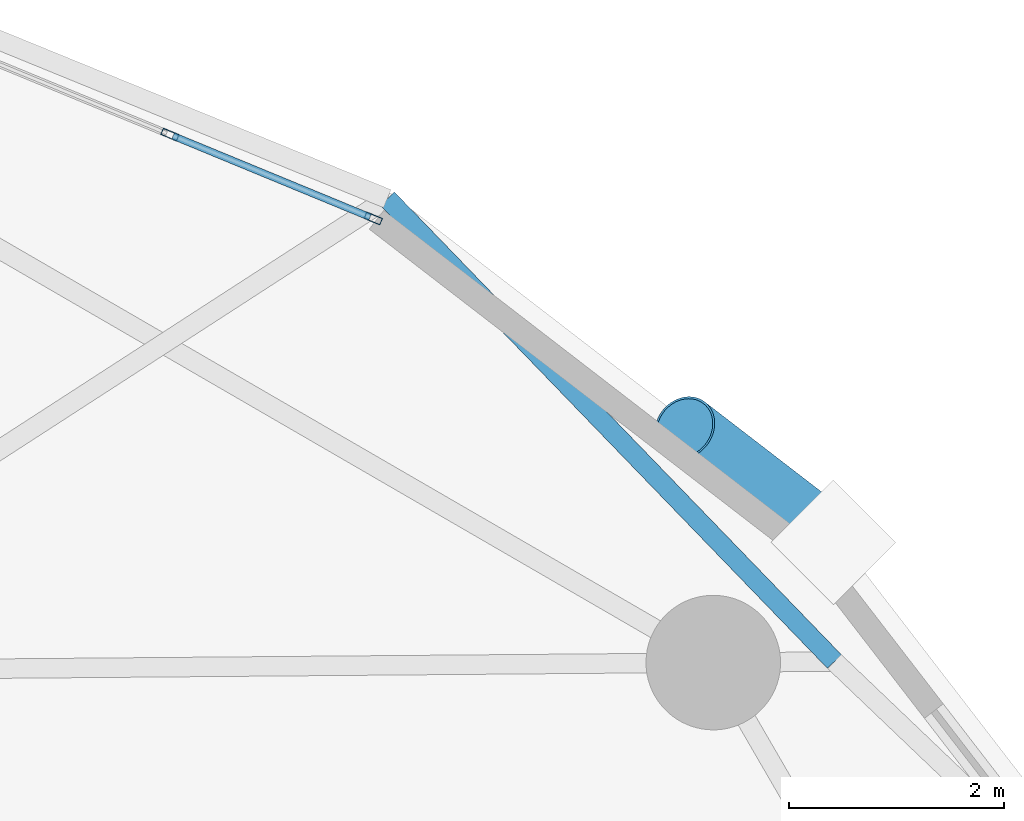
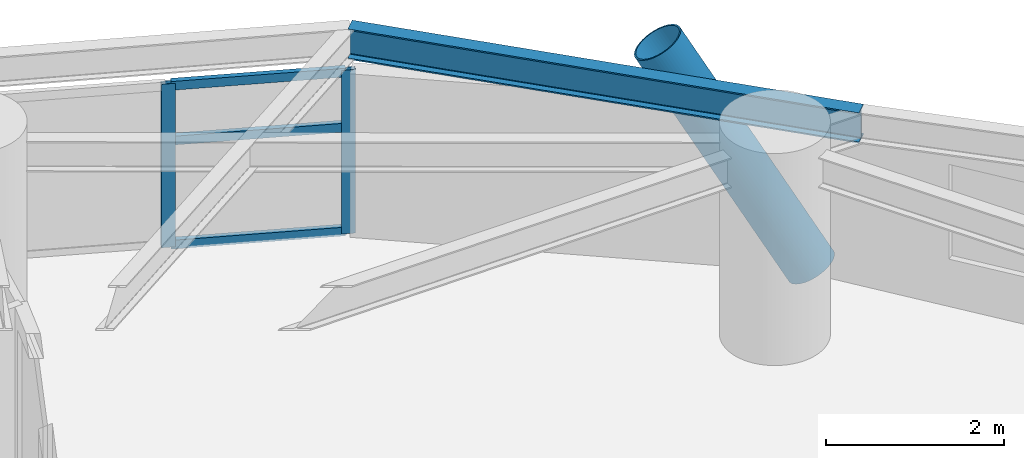
# One storey, part 5 of 17: 6 members, 1 beam, 1 element without a shape of its own.
"""IFC4 building model written with IfcOpenShell, lengths in metres."""

import ifcopenshell
import ifcopenshell.guid

model = None  # the IFC model being written
_history = None  # IfcOwnerHistory: only IFC2X3 demands one
_inside = {}  # id of a spatial element -> (the spatial element, [elements in it])
_under = {}  # id of a project, library or spatial element -> (it, [spatial elements below it])
_declared = {}  # id of a project -> (the project, [libraries it declares])
_typed = {}  # id of a type object -> (the type object, [elements of that type])
_made_of = {}  # id of a material, layer set ... -> (it, [elements and type objects made of it])


def new_model(schema):
    """Start an empty IFC model of exactly this schema.

    Asked for "IFC4X3", IfcOpenShell would pick the latest addendum, in which some entities
    have other attributes; the version numbers below select the first issue.
    IFC2X3 requires an IfcOwnerHistory on every rooted entity: one is made here for all.
    """
    global model, _history
    if schema == "IFC4X3":
        model = ifcopenshell.file(schema_version=(4, 3, 0, 0))
    else:
        model = ifcopenshell.file(schema=schema)
    _inside.clear()
    _under.clear()
    _declared.clear()
    _typed.clear()
    _made_of.clear()
    _history = None
    if model.schema == "IFC2X3":
        org = make("IfcOrganization", Name="unknown")
        user = make(
            "IfcPersonAndOrganization",
            ThePerson=make("IfcPerson", FamilyName="unknown"),
            TheOrganization=org,
        )
        app = make(
            "IfcApplication",
            ApplicationDeveloper=org,
            Version="unknown",
            ApplicationFullName="unknown",
            ApplicationIdentifier="unknown",
        )
        _history = make(
            "IfcOwnerHistory",
            OwningUser=user,
            OwningApplication=app,
            ChangeAction="ADDED",
            CreationDate=0,
        )
    return model


def make(cls, **values):
    """One entity of the class cls with the attributes given. An attribute that is None is left unset."""
    return model.create_entity(
        cls, **{name: value for name, value in values.items() if value is not None}
    )


def rooted(cls, **values):
    """An entity with a GlobalId (a new one), such as an element, a storey or a relation."""
    return make(cls, GlobalId=ifcopenshell.guid.new(), OwnerHistory=_history, **values)


def si_unit(unit_type, name, prefix=None):
    """IfcSIUnit, for example si_unit("LENGTHUNIT", "METRE", prefix="MILLI")."""
    return make("IfcSIUnit", UnitType=unit_type, Prefix=prefix, Name=name)


def assignment(units):
    """IfcUnitAssignment: the units of a project."""
    return None if units is None else make("IfcUnitAssignment", Units=units)


def point(xyz):
    """IfcCartesianPoint."""
    return None if xyz is None else make("IfcCartesianPoint", Coordinates=xyz)


def direction(xyz):
    """IfcDirection."""
    return None if xyz is None else make("IfcDirection", DirectionRatios=xyz)


def frame(location, z_axis=None, x_axis=None):
    """IfcAxis2Placement3D, a coordinate frame: its origin and axes. An axis left out is left unset."""
    return make(
        "IfcAxis2Placement3D",
        Location=point(location),
        Axis=direction(z_axis),
        RefDirection=direction(x_axis),
    )


def frame_2d(location, x_axis=None):
    """IfcAxis2Placement2D, a coordinate frame in the plane: its origin and x axis."""
    return make(
        "IfcAxis2Placement2D", Location=point(location), RefDirection=direction(x_axis)
    )


def origin():
    """The frame at (0, 0, 0) with its axes left unset."""
    return frame((0.0, 0.0, 0.0))


def origin_2d():
    """The frame at (0, 0) in the plane with its x axis left unset."""
    return frame_2d((0.0, 0.0))


def place(relative_to, where):
    """IfcLocalPlacement: puts the frame where relative to a parent placement (None: the world)."""
    return make(
        "IfcLocalPlacement", PlacementRelTo=relative_to, RelativePlacement=where
    )


def context(
    kind, dimensions, precision=None, world=None, true_north=None, identifier=None
):
    """IfcGeometricRepresentationContext, for example the 3D "Model" context."""
    return make(
        "IfcGeometricRepresentationContext",
        ContextIdentifier=identifier,
        ContextType=kind,
        CoordinateSpaceDimension=dimensions,
        Precision=precision,
        WorldCoordinateSystem=world,
        TrueNorth=true_north,
    )


def subcontext(parent, identifier, kind, view, scale=None):
    """IfcGeometricRepresentationSubContext, for example "Body" below "Model"."""
    return make(
        "IfcGeometricRepresentationSubContext",
        ContextIdentifier=identifier,
        ContextType=kind,
        ParentContext=parent,
        TargetScale=scale,
        TargetView=view,
    )


def project(units=None, contexts=None):
    """IfcProject with its units and contexts."""
    return rooted(
        "IfcProject",
        Name="project",
        RepresentationContexts=contexts,
        UnitsInContext=assignment(units),
    )


def spatial(cls, under=None, at=None, **own):
    """A site, building, storey or space (cls), placed at a placement, below another one or the project."""
    s = rooted(cls, ObjectPlacement=at, **own)
    if under is not None:
        _under.setdefault(under.id(), (under, []))[1].append(s)
    return s


def profile(cls, at=None, kind="AREA", **sizes):
    """A parametric profile (cls). Its sizes go by their IFC names, for example OverallWidth=200.0."""
    return make(cls, ProfileType=kind, Position=at, **sizes)


def hollow_rectangle(**sizes):
    """IfcRectangleHollowProfileDef."""
    return profile("IfcRectangleHollowProfileDef", **sizes)


def hollow_circle(**sizes):
    """IfcCircleHollowProfileDef."""
    return profile("IfcCircleHollowProfileDef", **sizes)


def i_section(**sizes):
    """IfcIShapeProfileDef."""
    return profile("IfcIShapeProfileDef", **sizes)


def extrude(swept, where, along, depth):
    """IfcExtrudedAreaSolid: the profile swept, set in the frame where, extruded along a direction by depth."""
    return make(
        "IfcExtrudedAreaSolid",
        SweptArea=swept,
        Position=where,
        ExtrudedDirection=direction(along),
        Depth=depth,
    )


def shape(context_of_items, identifier, shape_type, items):
    """IfcShapeRepresentation: the items that make up one representation, for example the "Body"."""
    return make(
        "IfcShapeRepresentation",
        ContextOfItems=context_of_items,
        RepresentationIdentifier=identifier,
        RepresentationType=shape_type,
        Items=items,
    )


def material(Name=None, Category=None):
    """IfcMaterial."""
    return make("IfcMaterial", Name=Name, Category=Category)


def layer(
    of_material, thickness, ventilated=None, Name=None, Category=None, Priority=None
):
    """IfcMaterialLayer: one layer of a wall or slab, of a material (None: an air gap)."""
    return make(
        "IfcMaterialLayer",
        Material=of_material,
        LayerThickness=thickness,
        IsVentilated=ventilated,
        Name=Name,
        Category=Category,
        Priority=Priority,
    )


def layer_set(layers, Name=None):
    """IfcMaterialLayerSet."""
    return make("IfcMaterialLayerSet", MaterialLayers=layers, LayerSetName=Name)


def material_profile(
    of_material, cross_section, Name=None, Category=None, Priority=None
):
    """IfcMaterialProfile: a cross section and its material."""
    return make(
        "IfcMaterialProfile",
        Name=Name,
        Material=of_material,
        Profile=cross_section,
        Priority=Priority,
        Category=Category,
    )


def profile_set(profiles, Name=None, composite=None):
    """IfcMaterialProfileSet."""
    return make(
        "IfcMaterialProfileSet",
        Name=Name,
        MaterialProfiles=profiles,
        CompositeProfile=composite,
    )


def made_of(thing, what):
    """Note that an element or type object is made of a material, layer set ...; save() writes the relation."""
    if what is not None:
        _made_of.setdefault(what.id(), (what, []))[1].append(thing)
    return thing


def type_object(cls, material=None, **own):
    """A type object (cls), such as IfcWallType, which elements share."""
    return made_of(rooted(cls, **own), material)


def element(
    cls,
    number,
    at=None,
    inside=None,
    cuts=None,
    type_object=None,
    material=None,
    context=None,
    identifier="Body",
    shape_type=None,
    held_by="IfcProductDefinitionShape",
    body=None,
    shapes=None,
    **own,
):
    """One element of the class cls, such as IfcWall. Its Tag is "e" and its number.

    at: its placement. inside: the storey or other place that contains it. cuts: it is an
    opening in that element (IfcRelVoidsElement). A single representation is given by context,
    identifier, shape_type and body (its items); several are given by shapes. held_by: the class
    of the entity that holds the representations. save() writes the other relations.
    """
    e = rooted(cls, Tag="e%d" % number, ObjectPlacement=at, **own)
    if body is not None:
        shapes = [shape(context, identifier, shape_type, body)]
    if shapes is not None:
        e.Representation = make(held_by, Representations=shapes)
    if inside is not None:
        _inside.setdefault(inside.id(), (inside, []))[1].append(e)
    if cuts is not None:
        rooted(
            "IfcRelVoidsElement", RelatingBuildingElement=cuts, RelatedOpeningElement=e
        )
    if type_object is not None:
        _typed.setdefault(type_object.id(), (type_object, []))[1].append(e)
    return made_of(e, material)


def aggregate(whole, parts):
    """IfcRelAggregates: a whole, such as a stair, and the parts it consists of."""
    return rooted("IfcRelAggregates", RelatingObject=whole, RelatedObjects=parts)


def save(model, path):
    """Write the relations noted so far, then the file.

    IfcRelAggregates (storeys below a building ...), IfcRelContainedInSpatialStructure (elements
    in a storey), IfcRelDefinesByType, IfcRelAssociatesMaterial and IfcRelDeclares: one each for
    every whole, place, type object, material and project.
    """
    for whole, parts in _under.values():
        aggregate(whole, parts)
    for where, things in _inside.values():
        rooted(
            "IfcRelContainedInSpatialStructure",
            RelatedElements=things,
            RelatingStructure=where,
        )
    for kind, things in _typed.values():
        rooted("IfcRelDefinesByType", RelatedObjects=things, RelatingType=kind)
    for what, things in _made_of.values():
        rooted("IfcRelAssociatesMaterial", RelatedObjects=things, RelatingMaterial=what)
    for by, libraries in _declared.values():
        rooted("IfcRelDeclares", RelatingContext=by, RelatedDefinitions=libraries)
    model.write(path)


model = new_model("IFC4")

# Units and contexts
model_context = context("Model", 3, precision=1e-05, world=origin(), true_north=direction((0.0, 1.0)))
body_context = subcontext(model_context, "Body", "Model", "MODEL_VIEW")
ifc_project = project(units=[si_unit("LENGTHUNIT", "METRE"), si_unit("AREAUNIT", "SQUARE_METRE"), si_unit("VOLUMEUNIT", "CUBIC_METRE"), si_unit("PLANEANGLEUNIT", "RADIAN"), si_unit("MASSUNIT", "GRAM", prefix="KILO")], contexts=[model_context])

# Site, building, storey
site_placement = place(None, origin())
site = spatial("IfcSite", under=ifc_project, at=site_placement, CompositionType="ELEMENT")
building_placement = place(site_placement, origin())
building = spatial("IfcBuilding", under=site, at=building_placement, Name="Cununo Teusaquillo Station Towers", CompositionType="ELEMENT")
storey_placement = place(building_placement, frame((0.0, 0.0, 186.52001953125)))
storey = spatial("IfcBuildingStorey", under=building, at=storey_placement, Name="L59", CompositionType="ELEMENT", Elevation=186.52001953125)

# Beam
ifc_material_1 = material(Name="Steel ASTM A572 Grade 50", Category="steel")
ifc_material_profile_1 = material_profile(ifc_material_1, i_section(OverallWidth=0.180908203125, OverallDepth=0.4169921875, WebThickness=0.010986328125, FlangeThickness=0.018310546875, FilletRadius=0.012939453125, at=origin_2d()), Name="W16X57")
ifc_profile_set_1 = profile_set([ifc_material_profile_1], Name="Steel ASTM A572 Grade 50")
beam_type = type_object("IfcBeamType", Name="BM-RING-Z3", PredefinedType="SPANDREL", material=ifc_profile_set_1)
beam_placement = place(storey_placement, frame((67.232666015625, 33.116455078125, 2.4814453125), z_axis=(-0.694791256552, 0.719211450005, 0.0), x_axis=(-0.719211450005, -0.694791256552, 0.0)))
element("IfcBeam", 1, at=beam_placement, inside=storey, type_object=beam_type, Name="L59 Tower B Spandrel Ring Beam 01", PredefinedType="SPANDREL", context=body_context, shape_type="SweptSolid", body=[
    extrude(i_section(OverallWidth=0.180908203125, OverallDepth=0.4169921875, WebThickness=0.010986328125, FlangeThickness=0.018310546875, FilletRadius=0.012939453125, at=origin_2d()), origin(), (0.0, 0.0, 1.0), 5.978515625),
])

# Curtain wall, members
ifc_material_2 = material(Name="Operable acoustic tinted low-E double glazing", Category="glass")
ifc_layer = layer(ifc_material_2, 0.179931640625)
ifc_layer_set = layer_set([ifc_layer], Name="Operable acoustic tinted low-E double glazing")
curtain_wall_type = type_object("IfcCurtainWallType", Name="CW-SYS-06", PredefinedType="USERDEFINED", material=ifc_layer_set)
curtain_wall_placement = place(storey_placement, origin())
curtain_wall = element("IfcCurtainWall", 2, at=curtain_wall_placement, inside=storey, type_object=curtain_wall_type, Name="L59 Tower B Facade Curtain Wall C01", ObjectType="OPERABLE GLAZING", PredefinedType="USERDEFINED")
ifc_material_3 = material(Name="Anodised dark bronze aluminium EN AW-6063-T6", Category="aluminium")
ifc_material_profile_2 = material_profile(ifc_material_3, hollow_rectangle(XDim=0.06494140625, YDim=0.159912109375, WallThickness=0.00390625, at=origin_2d()), Name="CW-MULL-65x160")
ifc_profile_set_2 = profile_set([ifc_material_profile_2], Name="Anodised dark bronze aluminium EN AW-6063-T6")
member_type_1 = type_object("IfcMemberType", Name="CWM-160", PredefinedType="MULLION", material=ifc_profile_set_2)
member_1_placement = place(storey_placement, frame((61.05908203125, 38.011962890625, 0.0), z_axis=(0.0, 0.0, 1.0), x_axis=(0.381229322376, 0.924480504803, 0.0)))
member_1 = element("IfcMember", 3, at=member_1_placement, type_object=member_type_1, Name="CW-06 mullion 2", PredefinedType="MULLION", context=body_context, shape_type="SweptSolid", body=[
    extrude(hollow_rectangle(XDim=0.06494140625, YDim=0.159912109375, WallThickness=0.00390625, at=origin_2d()), origin(), (0.0, 0.0, 1.0), 2.244873046875),
])
member_2_placement = place(storey_placement, frame((62.948974609375, 37.232666015625, 0.0), z_axis=(0.0, 0.0, 1.0), x_axis=(0.381229322376, 0.924480504803, 0.0)))
member_2 = element("IfcMember", 4, at=member_2_placement, type_object=member_type_1, Name="CW-06 mullion 3", PredefinedType="MULLION", context=body_context, shape_type="SweptSolid", body=[
    extrude(hollow_rectangle(XDim=0.06494140625, YDim=0.159912109375, WallThickness=0.00390625, at=origin_2d()), origin(), (0.0, 0.0, 1.0), 2.244873046875),
])
ifc_material_4 = material(Name="Anodised dark bronze aluminium EN AW-6063-T6", Category="aluminium")
ifc_material_profile_3 = material_profile(ifc_material_4, hollow_rectangle(XDim=0.06494140625, YDim=0.1201171875, WallThickness=0.00390625, at=origin_2d()), Name="CW-TRAN-65x120")
ifc_profile_set_3 = profile_set([ifc_material_profile_3], Name="Anodised dark bronze aluminium EN AW-6063-T6")
member_type_2 = type_object("IfcMemberType", Name="CWT-120", PredefinedType="USERDEFINED", material=ifc_profile_set_3)
member_3_placement = place(storey_placement, frame((61.089111328125, 37.99951171875, 0.032470703125), z_axis=(0.924450559311, -0.381301932056, 0.0), x_axis=(0.381301932056, 0.924450559311, 0.0)))
member_3 = element("IfcMember", 5, at=member_3_placement, type_object=member_type_2, Name="CW-06 transom 2.1", ObjectType="TRANSOM", PredefinedType="USERDEFINED", context=body_context, shape_type="SweptSolid", body=[
    extrude(hollow_rectangle(XDim=0.06494140625, YDim=0.1201171875, WallThickness=0.00390625, at=origin_2d()), origin(), (0.0, 0.0, 1.0), 1.97900390625),
])
member_4_placement = place(storey_placement, frame((61.089111328125, 37.99951171875, 1.458984375), z_axis=(0.924450559311, -0.381301932056, 0.0), x_axis=(0.381301932056, 0.924450559311, 0.0)))
member_4 = element("IfcMember", 6, at=member_4_placement, type_object=member_type_2, Name="CW-06 transom 2.2", ObjectType="TRANSOM", PredefinedType="USERDEFINED", context=body_context, shape_type="SweptSolid", body=[
    extrude(hollow_rectangle(XDim=0.06494140625, YDim=0.1201171875, WallThickness=0.00390625, at=origin_2d()), origin(), (0.0, 0.0, 1.0), 1.97900390625),
])
member_5_placement = place(storey_placement, frame((61.089111328125, 37.99951171875, 2.21240234375), z_axis=(0.924450559311, -0.381301932056, 0.0), x_axis=(0.381301932056, 0.924450559311, 0.0)))
member_5 = element("IfcMember", 7, at=member_5_placement, type_object=member_type_2, Name="CW-06 transom 2.3", ObjectType="TRANSOM", PredefinedType="USERDEFINED", context=body_context, shape_type="SweptSolid", body=[
    extrude(hollow_rectangle(XDim=0.06494140625, YDim=0.1201171875, WallThickness=0.00390625, at=origin_2d()), origin(), (0.0, 0.0, 1.0), 1.97900390625),
])
aggregate(curtain_wall, [member_1, member_2, member_3, member_4, member_5])

# Member
ifc_material_5 = material(Name="Steel EN 10025-2 S355J2", Category="steel")
ifc_material_profile_4 = material_profile(ifc_material_5, hollow_circle(Radius=0.304931640625, WallThickness=0.02001953125, at=origin_2d()), Name="CHS 610x20")
ifc_profile_set_4 = profile_set([ifc_material_profile_4], Name="Steel EN 10025-2 S355J2")
member_type_3 = type_object("IfcMemberType", Name="MBR-DIAG-Z3", PredefinedType="BRACE", material=ifc_profile_set_4)
member_6_placement = place(storey_placement, frame((67.223388671875, 34.223388671875, -0.14013671875), z_axis=(-0.407226053583, 0.313677039683, 0.857772496679), x_axis=(-0.610231571438, -0.792223093087, 0.0)))
element("IfcMember", 8, at=member_6_placement, inside=storey, type_object=member_type_3, Name="L59 Tower B Folded-Zigzag Diagrid Tube C00", PredefinedType="BRACE", context=body_context, shape_type="SweptSolid", body=[
    extrude(hollow_circle(Radius=0.304931640625, WallThickness=0.02001953125, at=origin_2d()), origin(), (0.0, 0.0, 1.0), 3.392578125),
])

save(model, "model.ifc")
